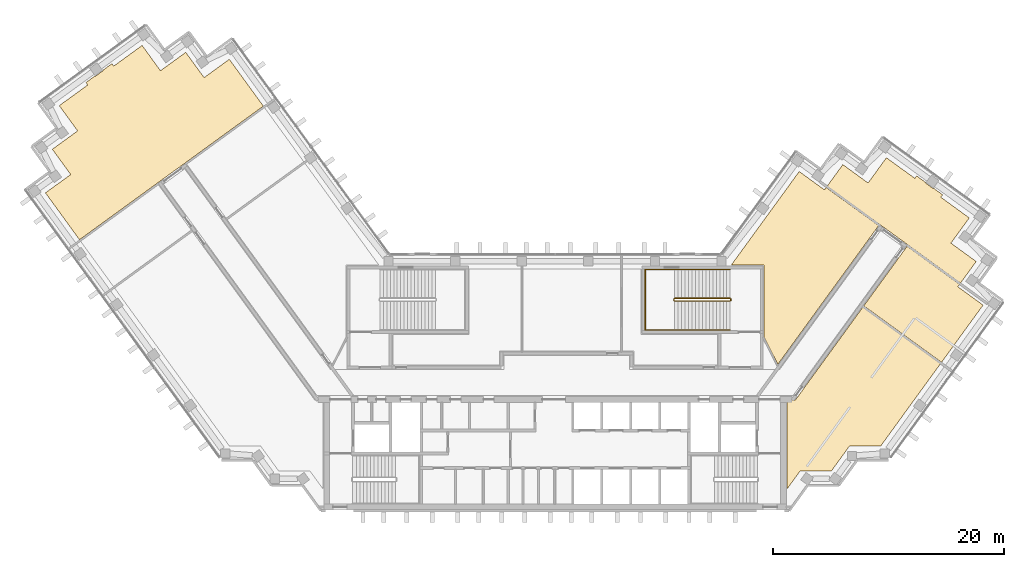
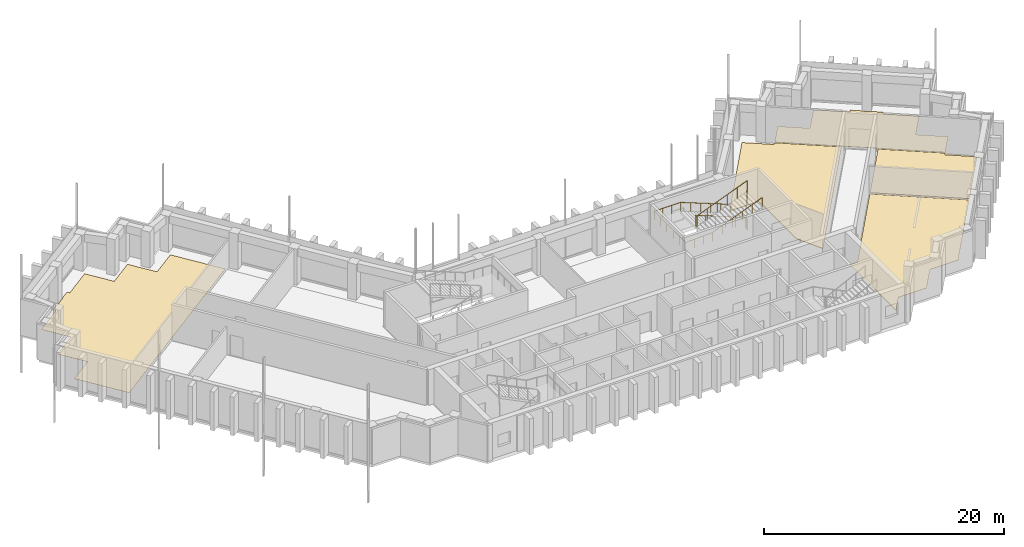
# One storey, part 12 of 12: 5 coverings, 2 railings.
"""IFC4 building model written with IfcOpenShell, lengths in metres."""

from ifc_helpers import new_model, si_unit, direction, frame, origin, origin_2d, place, context, subcontext, project, spatial, polyline, circle, outline, extrude, material, layer, layer_set, type_object, element, save


model = new_model("IFC4")

# Units and contexts
model_context = context("Model", 3, precision=1e-05, world=origin(), true_north=direction((0.0, 1.0)))
body_context = subcontext(model_context, "Body", "Model", "MODEL_VIEW")
ifc_project = project(units=[si_unit("LENGTHUNIT", "METRE"), si_unit("AREAUNIT", "SQUARE_METRE"), si_unit("VOLUMEUNIT", "CUBIC_METRE"), si_unit("PLANEANGLEUNIT", "RADIAN"), si_unit("MASSUNIT", "GRAM", prefix="KILO")], contexts=[model_context])

# Site, building, storey
site_placement = place(None, origin())
site = spatial("IfcSite", under=ifc_project, at=site_placement, CompositionType="ELEMENT")
building_placement = place(site_placement, origin())
building = spatial("IfcBuilding", under=site, at=building_placement, Name="Quipu Civic Tower", CompositionType="ELEMENT")
storey_placement = place(building_placement, frame((0.0, 0.0, 210.0)))
storey = spatial("IfcBuildingStorey", under=building, at=storey_placement, Name="L49", CompositionType="ELEMENT", Elevation=210.0)

# Coverings
ifc_material_1 = material(Name="Carpet tile on raised access floor")
ifc_layer_1 = layer(ifc_material_1, 0.02001953125)
ifc_layer_set_1 = layer_set([ifc_layer_1], Name="Carpet tile on raised access floor")
covering_type_1 = type_object("IfcCoveringType", Name="Carpet tile floor finish 20", PredefinedType="FLOORING", material=ifc_layer_set_1)
covering_1_placement = place(storey_placement, origin())
element("IfcCovering", 1, at=covering_1_placement, inside=storey, type_object=covering_type_1, Name="Carpet tile floor finish 20", PredefinedType="FLOORING", context=body_context, shape_type="SweptSolid", body=[
    extrude(outline(polyline([(20.070068359375, -9.195068359375), (20.070068359375, -1.52001953125), (20.77490234375, -1.51904296875), (26.6220703125, 6.529052734375), (33.344970703125, 1.64501953125), (28.181884765625, -5.4609375), (25.48193359375, -5.4619140625), (23.89501953125, -7.64599609375), (21.196044921875, -7.64599609375), (20.070068359375, -9.195068359375)])), origin(), (0.0, 0.0, 1.0), 0.02001953125),
])
covering_2_placement = place(storey_placement, origin())
element("IfcCovering", 2, at=covering_2_placement, inside=storey, type_object=covering_type_1, Name="Carpet tile floor finish 20", PredefinedType="FLOORING", context=body_context, shape_type="SweptSolid", body=[
    extrude(outline(polyline([(23.531005859375, 16.989013671875), (24.888916015625, 18.85791015625), (27.073974609375, 17.27197265625), (28.658935546875, 19.455078125), (31.116943359375, 17.6708984375), (31.27099609375, 17.8798828125), (32.032958984375, 17.325927734375), (32.032958984375, 17.324951171875), (32.031005859375, 17.321044921875), (32.030029296875, 17.31591796875), (32.029052734375, 17.31103515625), (32.028076171875, 17.305908203125), (32.028076171875, 17.302001953125), (32.029052734375, 17.297119140625), (32.030029296875, 17.2919921875), (32.031005859375, 17.287109375), (32.032958984375, 17.282958984375), (32.035888671875, 17.278076171875), (32.0380859375, 17.27392578125), (32.041015625, 17.27099609375), (32.044921875, 17.26708984375), (32.049072265625, 17.263916015625), (32.696044921875, 16.7939453125), (32.699951171875, 16.791015625), (32.7041015625, 16.7890625), (32.708984375, 16.787109375), (32.714111328125, 16.785888671875), (32.718994140625, 16.784912109375), (32.722900390625, 16.783935546875), (32.72802734375, 16.783935546875), (32.73291015625, 16.784912109375), (32.738037109375, 16.785888671875), (32.742919921875, 16.787109375), (32.7470703125, 16.7890625), (32.751953125, 16.7919921875), (32.756103515625, 16.7939453125), (32.759033203125, 16.798095703125), (32.760009765625, 16.798095703125), (33.52197265625, 16.2451171875), (33.3701171875, 16.032958984375), (35.826904296875, 14.248046875), (34.240966796875, 12.06396484375), (36.425048828125, 10.47705078125), (35.068115234375, 8.60791015625), (23.531005859375, 16.989013671875)])), origin(), (0.0, 0.0, 1.0), 0.02001953125),
])
covering_3_placement = place(storey_placement, origin())
element("IfcCovering", 3, at=covering_3_placement, inside=storey, type_object=covering_type_1, Name="Carpet tile floor finish 20", PredefinedType="FLOORING", context=body_context, shape_type="SweptSolid", body=[
    extrude(outline(polyline([(-44.074951171875, 16.4140625), (-41.89208984375, 17.9990234375), (-43.47802734375, 20.18505859375), (-41.2939453125, 21.77294921875), (-42.881103515625, 23.95703125), (-40.424072265625, 25.740966796875), (-40.574951171875, 25.952880859375), (-39.81298828125, 26.507080078125), (-39.80908203125, 26.5029296875), (-39.804931640625, 26.5009765625), (-39.801025390625, 26.498046875), (-39.7958984375, 26.49609375), (-39.7919921875, 26.4951171875), (-39.787109375, 26.493896484375), (-39.781982421875, 26.492919921875), (-39.777099609375, 26.492919921875), (-39.77197265625, 26.493896484375), (-39.76806640625, 26.4951171875), (-39.762939453125, 26.49609375), (-39.758056640625, 26.498046875), (-39.75390625, 26.5), (-39.75, 26.5029296875), (-39.10302734375, 26.972900390625), (-39.09912109375, 26.97607421875), (-39.094970703125, 26.97998046875), (-39.092041015625, 26.98291015625), (-39.089111328125, 26.987060546875), (-39.0869140625, 26.991943359375), (-39.0849609375, 26.99609375), (-39.083984375, 27.0009765625), (-39.0830078125, 27.006103515625), (-39.08203125, 27.010986328125), (-39.08203125, 27.014892578125), (-39.08203125, 27.02001953125), (-39.0830078125, 27.02490234375), (-39.0849609375, 27.030029296875), (-39.0869140625, 27.033935546875), (-38.324951171875, 27.587890625), (-38.169921875, 27.37890625), (-35.712890625, 29.1640625), (-34.126953125, 26.97998046875), (-31.94091796875, 28.56591796875), (-30.35400390625, 26.383056640625), (-28.169921875, 27.968994140625), (-25.22607421875, 23.916015625), (-41.131103515625, 12.360107421875), (-44.074951171875, 16.4140625)])), origin(), (0.0, 0.0, 1.0), 0.02001953125),
])
ifc_material_2 = material(Name="Sealed cement screed")
ifc_layer_2 = layer(ifc_material_2, 0.050048828125)
ifc_layer_set_2 = layer_set([ifc_layer_2], Name="Sealed cement screed")
covering_type_2 = type_object("IfcCoveringType", Name="Sealed screed floor finish 50", PredefinedType="FLOORING", material=ifc_layer_set_2)
covering_4_placement = place(storey_placement, origin())
element("IfcCovering", 4, at=covering_4_placement, inside=storey, type_object=covering_type_2, Name="Sealed screed floor finish 50", PredefinedType="FLOORING", context=body_context, shape_type="SweptSolid", body=[
    extrude(outline(polyline([(15.238037109375, 10.169921875), (21.115966796875, 18.260986328125), (23.299072265625, 16.676025390625), (23.447998046875, 16.876953125), (27.987060546875, 13.5791015625), (19.27197265625, 1.583984375), (18.070068359375, 3.94189453125), (18.070068359375, 10.1689453125), (15.238037109375, 10.169921875)])), origin(), (0.0, 0.0, 1.0), 0.050048828125),
])
covering_5_placement = place(storey_placement, origin())
element("IfcCovering", 5, at=covering_5_placement, inside=storey, type_object=covering_type_2, Name="Sealed screed floor finish 50", PredefinedType="FLOORING", context=body_context, shape_type="SweptSolid", body=[
    extrude(outline(polyline([(26.705078125, 6.64208984375), (30.446044921875, 11.7919921875), (34.985107421875, 8.493896484375), (34.839111328125, 8.291015625), (37.02197265625, 6.7060546875), (33.427978515625, 1.758056640625), (26.705078125, 6.64208984375)])), origin(), (0.0, 0.0, 1.0), 0.050048828125),
])

# Railings
ifc_material_3 = material(Name="Stainless steel", Category="steel")
railing_type_1 = type_object("IfcRailingType", Name="Stair guard 1100", PredefinedType="GUARDRAIL", material=ifc_material_3)
railing_1_placement = place(storey_placement, frame((15.14990234375, 7.300048828125, 0.11767578125)))
element("IfcRailing", 6, at=railing_1_placement, inside=storey, type_object=railing_type_1, Name="Stair 4 guard", PredefinedType="GUARDRAIL", context=body_context, shape_type="SweptSolid", body=[
    extrude(circle(Radius=0.02392578125, at=origin_2d()), frame((0.0, 0.0, 1.076171875), z_axis=(-0.930970042603, 0.0, 0.365095576219), x_axis=(0.0, -1.0, 0.0)), (0.0, 0.0, 1.0), 5.15576171875),
    extrude(circle(Radius=0.02392578125, at=origin_2d()), frame((-4.7998046875, 0.0, 2.95849609375), z_axis=(-0.707106781187, -0.707106781187, 0.0), x_axis=(0.707106781187, -0.707106781187, 0.0)), (0.0, 0.0, 1.0), 0.07080078125),
    extrude(circle(Radius=0.02392578125, at=origin_2d()), frame((-4.849853515625, -0.050048828125, 2.95849609375), z_axis=(0.0, -1.0, 0.0), x_axis=(1.0, 0.0, 0.0)), (0.0, 0.0, 1.0), 0.14990234375),
    extrude(circle(Radius=0.02392578125, at=origin_2d()), frame((-4.849853515625, -0.199951171875, 2.95849609375), z_axis=(0.364463019033, -0.364463019033, 0.856932561824), x_axis=(0.707106781187, 0.707106781187, 0.0)), (0.0, 0.0, 1.0), 0.13720703125),
    extrude(circle(Radius=0.02392578125, at=origin_2d()), frame((-4.7998046875, -0.25, 3.076171875), z_axis=(0.930970042603, 0.0, 0.365095576219), x_axis=(0.0, 1.0, 0.0)), (0.0, 0.0, 1.0), 5.15576171875),
    extrude(circle(Radius=0.02392578125, at=origin_2d()), frame((0.0, -0.25, 4.95849609375), z_axis=(0.012495627992, 0.049921557685, -0.998674970829), x_axis=(-0.970072785993, 0.242814311512, 0.0)), (0.0, 0.0, 1.0), 4.00537109375),
    extrude(circle(Radius=0.02392578125, at=origin_2d()), frame((0.050048828125, -0.050048828125, 0.95849609375), z_axis=(0.0, -1.0, 0.0), x_axis=(1.0, 0.0, 0.0)), (0.0, 0.0, 1.0), 0.14990234375),
    extrude(circle(Radius=0.02099609375, at=origin_2d()), origin(), (0.0, 0.0, 1.0), 1.052001953125),
    extrude(circle(Radius=0.02099609375, at=origin_2d()), frame((-0.9599609375, 0.0, 0.37646484375)), (0.0, 0.0, 1.0), 1.052001953125),
    extrude(circle(Radius=0.02099609375, at=origin_2d()), frame((-1.919921875, 0.0, 0.7529296875)), (0.0, 0.0, 1.0), 1.052001953125),
    extrude(circle(Radius=0.02099609375, at=origin_2d()), frame((-2.8798828125, 0.0, 1.12939453125)), (0.0, 0.0, 1.0), 1.052001953125),
    extrude(circle(Radius=0.02099609375, at=origin_2d()), frame((-3.83984375, 0.0, 1.505859375)), (0.0, 0.0, 1.0), 1.052001953125),
    extrude(circle(Radius=0.02099609375, at=origin_2d()), frame((-4.7998046875, 0.0, 1.88232421875)), (0.0, 0.0, 1.0), 1.052001953125),
    extrude(circle(Radius=0.02099609375, at=origin_2d()), frame((-4.849853515625, -0.050048828125, 1.88232421875)), (0.0, 0.0, 1.0), 1.052001953125),
    extrude(circle(Radius=0.02099609375, at=origin_2d()), frame((-4.849853515625, -0.199951171875, 1.88232421875)), (0.0, 0.0, 1.0), 1.052001953125),
    extrude(circle(Radius=0.02099609375, at=origin_2d()), frame((-4.7998046875, -0.25, 2.0)), (0.0, 0.0, 1.0), 1.052001953125),
    extrude(circle(Radius=0.02099609375, at=origin_2d()), frame((-3.83984375, -0.25, 2.37646484375)), (0.0, 0.0, 1.0), 1.052001953125),
    extrude(circle(Radius=0.02099609375, at=origin_2d()), frame((-2.8798828125, -0.25, 2.7529296875)), (0.0, 0.0, 1.0), 1.052001953125),
    extrude(circle(Radius=0.02099609375, at=origin_2d()), frame((-1.919921875, -0.25, 3.12939453125)), (0.0, 0.0, 1.0), 1.052001953125),
    extrude(circle(Radius=0.02099609375, at=origin_2d()), frame((-0.9599609375, -0.25, 3.505859375)), (0.0, 0.0, 1.0), 1.052001953125),
    extrude(circle(Radius=0.02099609375, at=origin_2d()), frame((0.0, -0.25, 3.88232421875)), (0.0, 0.0, 1.0), 1.052001953125),
    extrude(circle(Radius=0.02099609375, at=origin_2d()), frame((0.012451171875, -0.199951171875, 2.88232421875)), (0.0, 0.0, 1.0), 1.052001953125),
    extrude(circle(Radius=0.02099609375, at=origin_2d()), frame((0.02490234375, -0.14990234375, 1.88232421875)), (0.0, 0.0, 1.0), 1.052001953125),
    extrude(circle(Radius=0.02099609375, at=origin_2d()), frame((0.03759765625, -0.10009765625, 0.88232421875)), (0.0, 0.0, 1.0), 1.052001953125),
    extrude(circle(Radius=0.02099609375, at=origin_2d()), frame((0.050048828125, -0.050048828125, -0.11767578125)), (0.0, 0.0, 1.0), 1.052001953125),
    extrude(circle(Radius=0.02099609375, at=origin_2d()), frame((0.050048828125, -0.199951171875, -0.11767578125)), (0.0, 0.0, 1.0), 1.052001953125),
])
ifc_material_4 = material(Name="Stainless steel", Category="steel")
railing_type_2 = type_object("IfcRailingType", Name="Stair handrail", PredefinedType="HANDRAIL", material=ifc_material_4)
railing_2_placement = place(storey_placement, frame((15.14990234375, 9.800048828125, 0.11767578125)))
element("IfcRailing", 7, at=railing_2_placement, inside=storey, type_object=railing_type_2, Name="Stair 4 handrail", PredefinedType="HANDRAIL", context=body_context, shape_type="SweptSolid", body=[
    extrude(circle(Radius=0.02392578125, at=origin_2d()), frame((0.0, 0.0, 0.8759765625), z_axis=(-0.930970042603, 0.0, 0.365095576219), x_axis=(0.0, -1.0, 0.0)), (0.0, 0.0, 1.0), 5.15576171875),
    extrude(circle(Radius=0.02392578125, at=origin_2d()), frame((-4.7998046875, 0.0, 2.75830078125), z_axis=(-1.0, 0.0, 0.0), x_axis=(0.0, -1.0, 0.0)), (0.0, 0.0, 1.0), 2.550048828125),
    extrude(circle(Radius=0.02392578125, at=origin_2d()), frame((-7.349853515625, 0.0, 2.75830078125), z_axis=(0.0, -1.0, 0.0), x_axis=(1.0, 0.0, 0.0)), (0.0, 0.0, 1.0), 5.25),
    extrude(circle(Radius=0.02392578125, at=origin_2d()), frame((-7.349853515625, -5.25, 2.75830078125), z_axis=(0.998936948642, 0.0, 0.04609742549), x_axis=(0.0, 1.0, 0.0)), (0.0, 0.0, 1.0), 2.552734375),
    extrude(circle(Radius=0.02392578125, at=origin_2d()), frame((-4.7998046875, -5.25, 2.8759765625), z_axis=(0.930970042603, 0.0, 0.365095576219), x_axis=(0.0, 1.0, 0.0)), (0.0, 0.0, 1.0), 5.15576171875),
    extrude(circle(Radius=0.02099609375, at=origin_2d()), origin(), (0.0, 0.0, 1.0), 0.851806640625),
    extrude(circle(Radius=0.02099609375, at=origin_2d()), frame((-0.9599609375, 0.0, 0.37646484375)), (0.0, 0.0, 1.0), 0.851806640625),
    extrude(circle(Radius=0.02099609375, at=origin_2d()), frame((-1.919921875, 0.0, 0.7529296875)), (0.0, 0.0, 1.0), 0.851806640625),
    extrude(circle(Radius=0.02099609375, at=origin_2d()), frame((-2.8798828125, 0.0, 1.12939453125)), (0.0, 0.0, 1.0), 0.851806640625),
    extrude(circle(Radius=0.02099609375, at=origin_2d()), frame((-3.83984375, 0.0, 1.505859375)), (0.0, 0.0, 1.0), 0.851806640625),
    extrude(circle(Radius=0.02099609375, at=origin_2d()), frame((-4.7998046875, 0.0, 1.88232421875)), (0.0, 0.0, 1.0), 0.851806640625),
    extrude(circle(Radius=0.02099609375, at=origin_2d()), frame((-5.64990234375, 0.0, 1.88232421875)), (0.0, 0.0, 1.0), 0.851806640625),
    extrude(circle(Radius=0.02099609375, at=origin_2d()), frame((-6.499755859375, 0.0, 1.88232421875)), (0.0, 0.0, 1.0), 0.851806640625),
    extrude(circle(Radius=0.02099609375, at=origin_2d()), frame((-7.349853515625, 0.0, 1.88232421875)), (0.0, 0.0, 1.0), 0.851806640625),
    extrude(circle(Radius=0.02099609375, at=origin_2d()), frame((-7.349853515625, -1.050048828125, 1.88232421875)), (0.0, 0.0, 1.0), 0.851806640625),
    extrude(circle(Radius=0.02099609375, at=origin_2d()), frame((-7.349853515625, -2.10009765625, 1.88232421875)), (0.0, 0.0, 1.0), 0.851806640625),
    extrude(circle(Radius=0.02099609375, at=origin_2d()), frame((-7.349853515625, -3.14990234375, 1.88232421875)), (0.0, 0.0, 1.0), 0.851806640625),
    extrude(circle(Radius=0.02099609375, at=origin_2d()), frame((-7.349853515625, -4.199951171875, 1.88232421875)), (0.0, 0.0, 1.0), 0.851806640625),
    extrude(circle(Radius=0.02099609375, at=origin_2d()), frame((-7.349853515625, -5.25, 1.88232421875)), (0.0, 0.0, 1.0), 0.851806640625),
    extrude(circle(Radius=0.02099609375, at=origin_2d()), frame((-6.499755859375, -5.25, 1.921630859375)), (0.0, 0.0, 1.0), 0.851806640625),
    extrude(circle(Radius=0.02099609375, at=origin_2d()), frame((-5.64990234375, -5.25, 1.960693359375)), (0.0, 0.0, 1.0), 0.851806640625),
    extrude(circle(Radius=0.02099609375, at=origin_2d()), frame((-4.7998046875, -5.25, 2.0)), (0.0, 0.0, 1.0), 0.851806640625),
    extrude(circle(Radius=0.02099609375, at=origin_2d()), frame((-3.83984375, -5.25, 2.37646484375)), (0.0, 0.0, 1.0), 0.851806640625),
    extrude(circle(Radius=0.02099609375, at=origin_2d()), frame((-2.8798828125, -5.25, 2.7529296875)), (0.0, 0.0, 1.0), 0.851806640625),
    extrude(circle(Radius=0.02099609375, at=origin_2d()), frame((-1.919921875, -5.25, 3.12939453125)), (0.0, 0.0, 1.0), 0.851806640625),
    extrude(circle(Radius=0.02099609375, at=origin_2d()), frame((-0.9599609375, -5.25, 3.505859375)), (0.0, 0.0, 1.0), 0.851806640625),
    extrude(circle(Radius=0.02099609375, at=origin_2d()), frame((0.0, -5.25, 3.88232421875)), (0.0, 0.0, 1.0), 0.851806640625),
])

save(model, "model.ifc")
